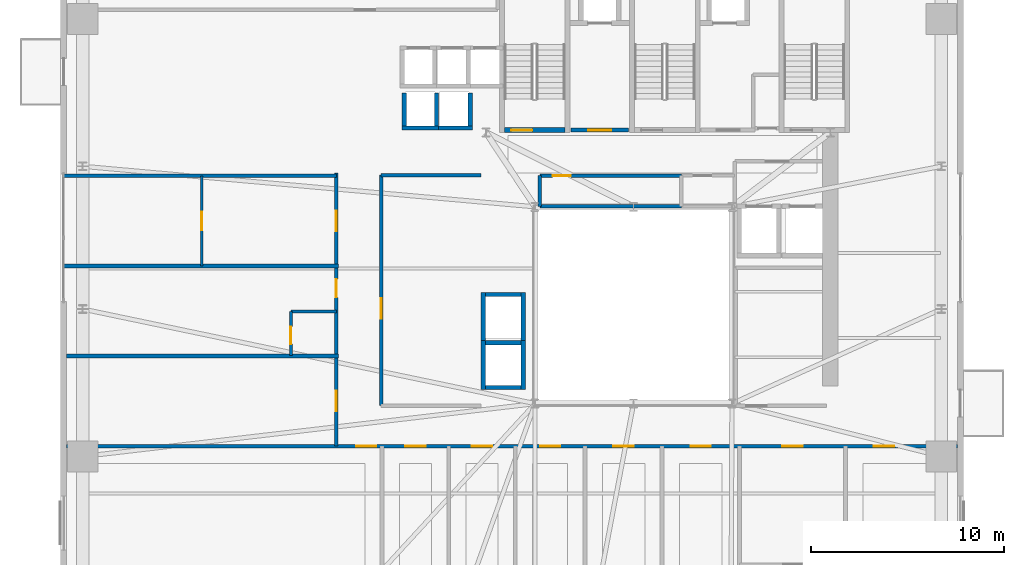
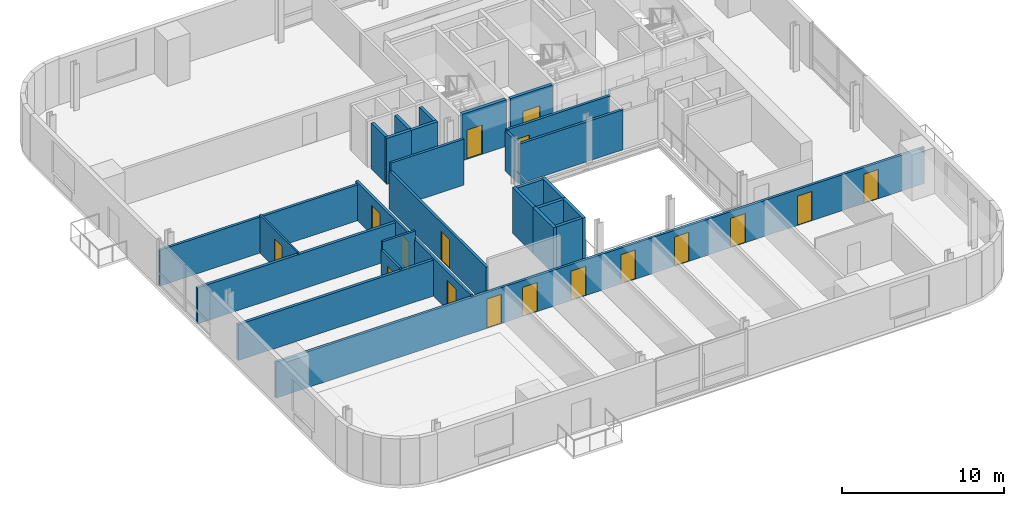
# One storey, part 6 of 14: 27 walls, 17 doors, 17 openings.
"""IFC4 building model written with IfcOpenShell, lengths in metres."""

from ifc_helpers import new_model, si_unit, direction, frame, frame_2d, origin, place, context, subcontext, project, spatial, rectangle, extrude, source, transform, mapped, material, layer, layer_set, type_object, element, fill, save


model = new_model("IFC4")

# Units and contexts
model_context = context("Model", 3, precision=1e-05, world=origin(), true_north=direction((0.0, 1.0)))
body_context = subcontext(model_context, "Body", "Model", "MODEL_VIEW")
ifc_project = project(units=[si_unit("LENGTHUNIT", "METRE"), si_unit("AREAUNIT", "SQUARE_METRE"), si_unit("VOLUMEUNIT", "CUBIC_METRE"), si_unit("PLANEANGLEUNIT", "RADIAN"), si_unit("MASSUNIT", "GRAM", prefix="KILO")], contexts=[model_context])

# Site, building, storey
site_placement = place(None, origin())
site = spatial("IfcSite", under=ifc_project, at=site_placement, CompositionType="ELEMENT")
building_placement = place(site_placement, origin())
building = spatial("IfcBuilding", under=site, at=building_placement, Name="Vardaveli Station Tower", CompositionType="ELEMENT")
storey_placement = place(building_placement, frame((0.0, 0.0, 140.89990234375)))
storey = spatial("IfcBuildingStorey", under=building, at=storey_placement, Name="L36", CompositionType="ELEMENT", Elevation=140.89990234375)

# Wall, opening, door
ifc_material_1 = material(Name="Concrete C40/50", Category="concrete")
ifc_layer_1 = layer(ifc_material_1, 0.25, Name="Concrete C40/50")
ifc_layer_set_1 = layer_set([ifc_layer_1], Name="Concrete C40/50")
wall_type_1 = type_object("IfcWallType", Name="WAL-SHAFT-250", PredefinedType="SOLIDWALL", material=ifc_layer_set_1)
shared_shape_1 = source(origin(), body_context, "Body", "SweptSolid", [
    extrude(rectangle(XDim=3.14990234375, YDim=0.25, at=frame_2d((1.574951171875, 0.0))), origin(), (0.0, 0.0, 1.0), 3.5),
])
wall_1_placement = place(storey_placement, frame((29.60009765625, 30.77490234375, 0.0), z_axis=(0.0, 0.0, 1.0), x_axis=(1.0, 0.0, 0.0)))
wall_1 = element("IfcWall", 1, at=wall_1_placement, inside=storey, type_object=wall_type_1, Name="W-L36-ST-1S", PredefinedType="SOLIDWALL", context=body_context, shape_type="MappedRepresentation", body=[
    mapped(shared_shape_1, transform((0.0, 0.0, 0.0), scale=1.0)),
])
shared_shape_2 = source(origin(), body_context, "Body", "SweptSolid", [
    extrude(rectangle(XDim=1.10009765625, YDim=2.199951171875, at=frame_2d((0.550048828125, 1.10009765625))), frame((0.0, 0.135009765625, 0.0), z_axis=(0.0, -1.0, 0.0), x_axis=(1.0, 0.0, 0.0)), (0.0, 0.0, 1.0), 0.27001953125),
])
opening_1_placement = place(wall_1_placement, frame((0.35009765625, 0.0, 0.0)))
opening_1 = element("IfcOpeningElement", 2, at=opening_1_placement, cuts=wall_1, Name="Opening D-04", PredefinedType="OPENING", context=body_context, shape_type="MappedRepresentation", body=[
    mapped(shared_shape_2, transform((0.0, 0.0, 0.0), scale=1.0)),
])
ifc_material_2 = material(Name="Steel smokeproof fire doorset", Category="steel")
door_type_1 = type_object("IfcDoorType", Name="DR-ST-1100x2200", OperationType="NOTDEFINED", PredefinedType="DOOR", material=ifc_material_2)
shared_shape_3 = source(origin(), body_context, "Body", "SweptSolid", [
    extrude(rectangle(XDim=1.10009765625, YDim=2.199951171875, at=frame_2d((0.550048828125, 1.10009765625))), frame((0.0, 0.02490234375, 0.0), z_axis=(0.0, -1.0, 0.0), x_axis=(1.0, 0.0, 0.0)), (0.0, 0.0, 1.0), 0.050048828125),
])
door_1_placement = place(opening_1_placement, origin())
door_1 = element("IfcDoor", 3, at=door_1_placement, inside=storey, type_object=door_type_1, Name="DST-1-L36", OperationType="SINGLE_SWING_LEFT", OverallHeight=2.199951171875, OverallWidth=1.10009765625, PredefinedType="DOOR", context=body_context, shape_type="MappedRepresentation", body=[
    mapped(shared_shape_3, transform((0.0, 0.0, 0.0), scale=1.0)),
])
fill(opening_1, door_1)

ifc_layer_2 = layer(ifc_material_1, 0.219970703125, Name="Concrete C40/50")
ifc_layer_set_2 = layer_set([ifc_layer_2], Name="Concrete C40/50")
wall_type_2 = type_object("IfcWallType", Name="WAL-FFLOBBY-220", PredefinedType="SOLIDWALL", material=ifc_layer_set_2)
shared_shape_4 = source(origin(), body_context, "Body", "SweptSolid", [
    extrude(rectangle(XDim=3.0, YDim=0.219970703125, at=frame_2d((1.5, 0.0))), origin(), (0.0, 0.0, 1.0), 3.460205078125),
])
wall_2_placement = place(storey_placement, frame((33.050048828125, 30.780029296875, 0.0), z_axis=(0.0, 0.0, 1.0), x_axis=(1.0, 0.0, 0.0)))
wall_2 = element("IfcWall", 4, at=wall_2_placement, inside=storey, type_object=wall_type_2, Name="W-L36-FFL1S", PredefinedType="SOLIDWALL", context=body_context, shape_type="MappedRepresentation", body=[
    mapped(shared_shape_4, transform((0.0, 0.0, 0.0), scale=1.0)),
])
shared_shape_5 = source(origin(), body_context, "Body", "SweptSolid", [
    extrude(rectangle(XDim=1.199951171875, YDim=2.199951171875, at=frame_2d((0.60009765625, 1.10009765625))), frame((0.0, 0.1201171875, 0.0), z_axis=(0.0, -1.0, 0.0), x_axis=(1.0, 0.0, 0.0)), (0.0, 0.0, 1.0), 0.239990234375),
])
opening_2_placement = place(wall_2_placement, frame((0.89990234375, 0.0, 0.0)))
opening_2 = element("IfcOpeningElement", 5, at=opening_2_placement, cuts=wall_2, Name="Opening D-03", PredefinedType="OPENING", context=body_context, shape_type="MappedRepresentation", body=[
    mapped(shared_shape_5, transform((0.0, 0.0, 0.0), scale=1.0)),
])
door_type_2 = type_object("IfcDoorType", Name="DR-FFL-1200x2200", OperationType="NOTDEFINED", PredefinedType="DOOR", material=ifc_material_2)
shared_shape_6 = source(origin(), body_context, "Body", "SweptSolid", [
    extrude(rectangle(XDim=1.199951171875, YDim=2.199951171875, at=frame_2d((0.60009765625, 1.10009765625))), frame((0.0, 0.02490234375, 0.0), z_axis=(0.0, -1.0, 0.0), x_axis=(1.0, 0.0, 0.0)), (0.0, 0.0, 1.0), 0.050048828125),
])
door_2_placement = place(opening_2_placement, origin())
door_2 = element("IfcDoor", 6, at=door_2_placement, inside=storey, type_object=door_type_2, Name="DFFL1-L36", OperationType="SINGLE_SWING_LEFT", OverallHeight=2.199951171875, OverallWidth=1.199951171875, PredefinedType="DOOR", context=body_context, shape_type="MappedRepresentation", body=[
    mapped(shared_shape_6, transform((0.0, 0.0, 0.0), scale=1.0)),
])
fill(opening_2, door_2)

# Walls
shared_shape_7 = source(origin(), body_context, "Body", "SweptSolid", [
    extrude(rectangle(XDim=1.89013671875, YDim=0.219970703125, at=frame_2d((0.945068359375, 0.0))), origin(), (0.0, 0.0, 1.0), 3.460205078125),
])
for number, where, z_axis, x_axis, name in (
    (7, (24.304931640625, 30.889892578125, 0.0), (0.0, 0.0, 1.0), (1.0, 0.0, 0.0), "SHW-SHU-01-L36-S"),
    (8, (26.054931640625, 30.889892578125, 0.0), (0.0, 0.0, 1.0), (1.0, 0.0, 0.0), "SHW-SHU-02-L36-S"),
):
    element("IfcWall", number, at=place(storey_placement, frame(where, z_axis=z_axis, x_axis=x_axis)), inside=storey, type_object=wall_type_2, Name=name, PredefinedType="SOLIDWALL", context=body_context, shape_type="MappedRepresentation", body=[
        mapped(shared_shape_7, transform((0.0, 0.0, 0.0), scale=1.0)),
    ])
shared_shape_8 = source(origin(), body_context, "Body", "SweptSolid", [
    extrude(rectangle(XDim=1.699951171875, YDim=0.219970703125, at=frame_2d((0.85009765625, 0.0))), origin(), (0.0, 0.0, 1.0), 3.460205078125),
])
for number, where, z_axis, x_axis, name in (
    (9, (24.4150390625, 31.0, 0.0), (0.0, 0.0, 1.0), (0.0, 1.0, 0.0), "SHW-SHU-01-L36-W"),
    (10, (26.0849609375, 31.0, 0.0), (0.0, 0.0, 1.0), (0.0, 1.0, 0.0), "SHW-SHU-01-L36-E"),
    (11, (27.8349609375, 31.0, 0.0), (0.0, 0.0, 1.0), (0.0, 1.0, 0.0), "SHW-SHU-02-L36-E"),
):
    element("IfcWall", number, at=place(storey_placement, frame(where, z_axis=z_axis, x_axis=x_axis)), inside=storey, type_object=wall_type_2, Name=name, PredefinedType="SOLIDWALL", context=body_context, shape_type="MappedRepresentation", body=[
        mapped(shared_shape_8, transform((0.0, 0.0, 0.0), scale=1.0)),
    ])
shared_shape_9 = source(origin(), body_context, "Body", "SweptSolid", [
    extrude(rectangle(XDim=1.85009765625, YDim=0.219970703125, at=frame_2d((0.925048828125, 0.0))), origin(), (0.0, 0.0, 1.0), 3.460205078125),
])
for number, where, z_axis, x_axis, name in (
    (12, (28.625, 17.43994140625, 0.0), (0.0, 0.0, 1.0), (1.0, 0.0, 0.0), "SHW-OBS-01-L36-S"),
    (13, (28.625, 19.760009765625, 0.0), (0.0, 0.0, 1.0), (1.0, 0.0, 0.0), "SHW-OBS-01-L36-N"),
    (14, (28.625, 22.260009765625, 0.0), (0.0, 0.0, 1.0), (1.0, 0.0, 0.0), "SHW-OBS-02-L36-N"),
):
    element("IfcWall", number, at=place(storey_placement, frame(where, z_axis=z_axis, x_axis=x_axis)), inside=storey, type_object=wall_type_2, Name=name, PredefinedType="SOLIDWALL", context=body_context, shape_type="MappedRepresentation", body=[
        mapped(shared_shape_9, transform((0.0, 0.0, 0.0), scale=1.0)),
    ])
shared_shape_10 = source(origin(), body_context, "Body", "SweptSolid", [
    extrude(rectangle(XDim=2.5400390625, YDim=0.219970703125, at=frame_2d((1.27001953125, 0.0))), origin(), (0.0, 0.0, 1.0), 3.460205078125),
])
for number, where, z_axis, x_axis, name in (
    (15, (28.514892578125, 17.330078125, 0.0), (0.0, 0.0, 1.0), (0.0, 1.0, 0.0), "SHW-OBS-01-L36-W"),
    (16, (30.5849609375, 17.330078125, 0.0), (0.0, 0.0, 1.0), (0.0, 1.0, 0.0), "SHW-OBS-01-L36-E"),
    (17, (28.514892578125, 19.830078125, 0.0), (0.0, 0.0, 1.0), (0.0, 1.0, 0.0), "SHW-OBS-02-L36-W"),
    (18, (30.5849609375, 19.830078125, 0.0), (0.0, 0.0, 1.0), (0.0, 1.0, 0.0), "SHW-OBS-02-L36-E"),
):
    element("IfcWall", number, at=place(storey_placement, frame(where, z_axis=z_axis, x_axis=x_axis)), inside=storey, type_object=wall_type_2, Name=name, PredefinedType="SOLIDWALL", context=body_context, shape_type="MappedRepresentation", body=[
        mapped(shared_shape_10, transform((0.0, 0.0, 0.0), scale=1.0)),
    ])

# Wall, opening, door
ifc_material_3 = material(Name="Moisture-resistant stud partition")
ifc_layer_3 = layer(ifc_material_3, 0.14990234375, Name="Moisture-resistant stud partition")
ifc_layer_set_3 = layer_set([ifc_layer_3], Name="Moisture-resistant stud partition")
wall_type_3 = type_object("IfcWallType", Name="WAL-WET-150", PredefinedType="PARTITIONING", material=ifc_layer_set_3)
shared_shape_11 = source(origin(), body_context, "Body", "SweptSolid", [
    extrude(rectangle(XDim=2.2900390625, YDim=0.14990234375, at=frame_2d((1.14501953125, 0.0))), origin(), (0.0, 0.0, 1.0), 2.85205078125),
])
wall_3_placement = place(storey_placement, frame((18.5400390625, 19.0869140625, 0.0), z_axis=(0.0, 0.0, 1.0), x_axis=(0.0, 1.0, 0.0)))
wall_3 = element("IfcWall", 19, at=wall_3_placement, inside=storey, type_object=wall_type_3, Name="W-L36-BW2-W", PredefinedType="PARTITIONING", context=body_context, shape_type="MappedRepresentation", body=[
    mapped(shared_shape_11, transform((0.0, 0.0, 0.0), scale=1.0)),
])
shared_shape_12 = source(origin(), body_context, "Body", "SweptSolid", [
    extrude(rectangle(XDim=0.89990234375, YDim=2.10009765625, at=frame_2d((0.449951171875, 1.050048828125))), frame((0.0, 0.0849609375, 0.0), z_axis=(0.0, -1.0, 0.0), x_axis=(1.0, 0.0, 0.0)), (0.0, 0.0, 1.0), 0.169921875),
])
opening_3_placement = place(wall_3_placement, frame((0.60009765625, 0.0, 0.0)))
opening_3 = element("IfcOpeningElement", 20, at=opening_3_placement, cuts=wall_3, Name="Opening D-08", PredefinedType="OPENING", context=body_context, shape_type="MappedRepresentation", body=[
    mapped(shared_shape_12, transform((0.0, 0.0, 0.0), scale=1.0)),
])
ifc_material_4 = material(Name="Moisture-resistant oak door")
door_type_3 = type_object("IfcDoorType", Name="DR-BATH-900x2100", OperationType="NOTDEFINED", PredefinedType="DOOR", material=ifc_material_4)
shared_shape_13 = source(origin(), body_context, "Body", "SweptSolid", [
    extrude(rectangle(XDim=0.89990234375, YDim=2.10009765625, at=frame_2d((0.449951171875, 1.050048828125))), frame((0.0, 0.02490234375, 0.0), z_axis=(0.0, -1.0, 0.0), x_axis=(1.0, 0.0, 0.0)), (0.0, 0.0, 1.0), 0.050048828125),
])
door_3_placement = place(opening_3_placement, origin())
door_3 = element("IfcDoor", 21, at=door_3_placement, inside=storey, type_object=door_type_3, Name="D-L36-BW2", OperationType="SINGLE_SWING_RIGHT", OverallHeight=2.10009765625, OverallWidth=0.89990234375, PredefinedType="DOOR", context=body_context, shape_type="MappedRepresentation", body=[
    mapped(shared_shape_13, transform((0.0, 0.0, 0.0), scale=1.0)),
])
fill(opening_3, door_3)

# Wall, openings, doors
ifc_material_5 = material(Name="Fire-rated gypsum stud partition")
ifc_layer_4 = layer(ifc_material_5, 0.179931640625, Name="Fire-rated gypsum stud partition")
ifc_layer_set_4 = layer_set([ifc_layer_4], Name="Fire-rated gypsum stud partition")
wall_type_4 = type_object("IfcWallType", Name="WAL-CORR-180", PredefinedType="PARTITIONING", material=ifc_layer_set_4)
shared_shape_14 = source(origin(), body_context, "Body", "SweptSolid", [
    extrude(rectangle(XDim=46.15576171875, YDim=0.179931640625, at=frame_2d((23.077880859375, 0.0))), origin(), (0.0, 0.0, 1.0), 2.7021484375),
])
wall_4_placement = place(storey_placement, frame((6.922119140625, 14.39990234375, 0.0), z_axis=(0.0, 0.0, 1.0), x_axis=(1.0, 0.0, 0.0)))
wall_4 = element("IfcWall", 22, at=wall_4_placement, inside=storey, type_object=wall_type_4, Name="W-L36-CS", PredefinedType="PARTITIONING", context=body_context, shape_type="MappedRepresentation", body=[
    mapped(shared_shape_14, transform((0.0, 0.0, 0.0), scale=1.0)),
])
shared_shape_15 = source(origin(), body_context, "Body", "SweptSolid", [
    extrude(rectangle(XDim=1.050048828125, YDim=2.199951171875, at=frame_2d((0.52490234375, 1.10009765625))), frame((0.0, 0.10009765625, 0.0), z_axis=(0.0, -1.0, 0.0), x_axis=(1.0, 0.0, 0.0)), (0.0, 0.0, 1.0), 0.199951171875),
])
opening_4_placement = place(wall_4_placement, frame((14.998046875, 0.0, 0.0)))
opening_4 = element("IfcOpeningElement", 23, at=opening_4_placement, cuts=wall_4, Name="Opening D-05", PredefinedType="OPENING", context=body_context, shape_type="MappedRepresentation", body=[
    mapped(shared_shape_15, transform((0.0, 0.0, 0.0), scale=1.0)),
])
opening_5_placement = place(wall_4_placement, frame((17.552978515625, 0.0, 0.0)))
opening_5 = element("IfcOpeningElement", 24, at=opening_5_placement, cuts=wall_4, Name="Opening D-05", PredefinedType="OPENING", context=body_context, shape_type="MappedRepresentation", body=[
    mapped(shared_shape_15, transform((0.0, 0.0, 0.0), scale=1.0)),
])
opening_6_placement = place(wall_4_placement, frame((21.0029296875, 0.0, 0.0)))
opening_6 = element("IfcOpeningElement", 25, at=opening_6_placement, cuts=wall_4, Name="Opening D-05", PredefinedType="OPENING", context=body_context, shape_type="MappedRepresentation", body=[
    mapped(shared_shape_15, transform((0.0, 0.0, 0.0), scale=1.0)),
])
opening_7_placement = place(wall_4_placement, frame((24.532470703125, 0.0, 0.0)))
opening_7 = element("IfcOpeningElement", 26, at=opening_7_placement, cuts=wall_4, Name="Opening D-05", PredefinedType="OPENING", context=body_context, shape_type="MappedRepresentation", body=[
    mapped(shared_shape_15, transform((0.0, 0.0, 0.0), scale=1.0)),
])
opening_8_placement = place(wall_4_placement, frame((28.338134765625, 0.0, 0.0)))
opening_8 = element("IfcOpeningElement", 27, at=opening_8_placement, cuts=wall_4, Name="Opening D-05", PredefinedType="OPENING", context=body_context, shape_type="MappedRepresentation", body=[
    mapped(shared_shape_15, transform((0.0, 0.0, 0.0), scale=1.0)),
])
opening_9_placement = place(wall_4_placement, frame((32.341064453125, 0.0, 0.0)))
opening_9 = element("IfcOpeningElement", 28, at=opening_9_placement, cuts=wall_4, Name="Opening D-05", PredefinedType="OPENING", context=body_context, shape_type="MappedRepresentation", body=[
    mapped(shared_shape_15, transform((0.0, 0.0, 0.0), scale=1.0)),
])
opening_10_placement = place(wall_4_placement, frame((37.093994140625, 0.0, 0.0)))
opening_10 = element("IfcOpeningElement", 29, at=opening_10_placement, cuts=wall_4, Name="Opening D-05", PredefinedType="OPENING", context=body_context, shape_type="MappedRepresentation", body=[
    mapped(shared_shape_15, transform((0.0, 0.0, 0.0), scale=1.0)),
])
opening_11_placement = place(wall_4_placement, frame((41.827880859375, 0.0, 0.0)))
opening_11 = element("IfcOpeningElement", 30, at=opening_11_placement, cuts=wall_4, Name="Opening D-05", PredefinedType="OPENING", context=body_context, shape_type="MappedRepresentation", body=[
    mapped(shared_shape_15, transform((0.0, 0.0, 0.0), scale=1.0)),
])
ifc_material_6 = material(Name="Walnut veneer acoustic fire door")
door_type_4 = type_object("IfcDoorType", Name="DR-SUITE-1050x2200", OperationType="NOTDEFINED", PredefinedType="DOOR", material=ifc_material_6)
shared_shape_16 = source(origin(), body_context, "Body", "SweptSolid", [
    extrude(rectangle(XDim=1.050048828125, YDim=2.199951171875, at=frame_2d((0.52490234375, 1.10009765625))), frame((0.0, 0.02490234375, 0.0), z_axis=(0.0, -1.0, 0.0), x_axis=(1.0, 0.0, 0.0)), (0.0, 0.0, 1.0), 0.050048828125),
])
door_4_placement = place(opening_4_placement, origin())
door_4 = element("IfcDoor", 31, at=door_4_placement, inside=storey, type_object=door_type_4, Name="D-L36-SA1", OperationType="SINGLE_SWING_RIGHT", OverallHeight=2.199951171875, OverallWidth=1.050048828125, PredefinedType="DOOR", context=body_context, shape_type="MappedRepresentation", body=[
    mapped(shared_shape_16, transform((0.0, 0.0, 0.0), scale=1.0)),
])
fill(opening_4, door_4)
door_5_placement = place(opening_5_placement, origin())
door_5 = element("IfcDoor", 32, at=door_5_placement, inside=storey, type_object=door_type_4, Name="D-L36-SA2", OperationType="SINGLE_SWING_LEFT", OverallHeight=2.199951171875, OverallWidth=1.050048828125, PredefinedType="DOOR", context=body_context, shape_type="MappedRepresentation", body=[
    mapped(shared_shape_16, transform((0.0, 0.0, 0.0), scale=1.0)),
])
fill(opening_5, door_5)
door_6_placement = place(opening_6_placement, origin())
door_6 = element("IfcDoor", 33, at=door_6_placement, inside=storey, type_object=door_type_4, Name="D-L36-SA3", OperationType="SINGLE_SWING_RIGHT", OverallHeight=2.199951171875, OverallWidth=1.050048828125, PredefinedType="DOOR", context=body_context, shape_type="MappedRepresentation", body=[
    mapped(shared_shape_16, transform((0.0, 0.0, 0.0), scale=1.0)),
])
fill(opening_6, door_6)
door_7_placement = place(opening_7_placement, origin())
door_7 = element("IfcDoor", 34, at=door_7_placement, inside=storey, type_object=door_type_4, Name="D-L36-SA4", OperationType="SINGLE_SWING_LEFT", OverallHeight=2.199951171875, OverallWidth=1.050048828125, PredefinedType="DOOR", context=body_context, shape_type="MappedRepresentation", body=[
    mapped(shared_shape_16, transform((0.0, 0.0, 0.0), scale=1.0)),
])
fill(opening_7, door_7)
door_8_placement = place(opening_8_placement, origin())
door_8 = element("IfcDoor", 35, at=door_8_placement, inside=storey, type_object=door_type_4, Name="D-L36-SA5", OperationType="SINGLE_SWING_RIGHT", OverallHeight=2.199951171875, OverallWidth=1.050048828125, PredefinedType="DOOR", context=body_context, shape_type="MappedRepresentation", body=[
    mapped(shared_shape_16, transform((0.0, 0.0, 0.0), scale=1.0)),
])
fill(opening_8, door_8)
door_9_placement = place(opening_9_placement, origin())
door_9 = element("IfcDoor", 36, at=door_9_placement, inside=storey, type_object=door_type_4, Name="D-L36-SA6", OperationType="SINGLE_SWING_LEFT", OverallHeight=2.199951171875, OverallWidth=1.050048828125, PredefinedType="DOOR", context=body_context, shape_type="MappedRepresentation", body=[
    mapped(shared_shape_16, transform((0.0, 0.0, 0.0), scale=1.0)),
])
fill(opening_9, door_9)
door_10_placement = place(opening_10_placement, origin())
door_10 = element("IfcDoor", 37, at=door_10_placement, inside=storey, type_object=door_type_4, Name="D-L36-SCB7", OperationType="SINGLE_SWING_RIGHT", OverallHeight=2.199951171875, OverallWidth=1.050048828125, PredefinedType="DOOR", context=body_context, shape_type="MappedRepresentation", body=[
    mapped(shared_shape_16, transform((0.0, 0.0, 0.0), scale=1.0)),
])
fill(opening_10, door_10)
door_11_placement = place(opening_11_placement, origin())
door_11 = element("IfcDoor", 38, at=door_11_placement, inside=storey, type_object=door_type_4, Name="D-L36-SA8", OperationType="SINGLE_SWING_LEFT", OverallHeight=2.199951171875, OverallWidth=1.050048828125, PredefinedType="DOOR", context=body_context, shape_type="MappedRepresentation", body=[
    mapped(shared_shape_16, transform((0.0, 0.0, 0.0), scale=1.0)),
])
fill(opening_11, door_11)

# Wall, opening, door
shared_shape_17 = source(origin(), body_context, "Body", "SweptSolid", [
    extrude(rectangle(XDim=11.93994140625, YDim=0.179931640625, at=frame_2d((5.969970703125, 0.0))), origin(), (0.0, 0.0, 1.0), 2.85205078125),
])
wall_5_placement = place(storey_placement, frame((23.219970703125, 16.5, 0.0), z_axis=(0.0, 0.0, 1.0), x_axis=(0.0, 1.0, 0.0)))
wall_5 = element("IfcWall", 39, at=wall_5_placement, inside=storey, type_object=wall_type_4, Name="W-L36-ATW-W", PredefinedType="PARTITIONING", context=body_context, shape_type="MappedRepresentation", body=[
    mapped(shared_shape_17, transform((0.0, 0.0, 0.0), scale=1.0)),
])
opening_12_placement = place(wall_5_placement, frame((4.5, 0.0, 0.0)))
opening_12 = element("IfcOpeningElement", 40, at=opening_12_placement, cuts=wall_5, Name="Opening D-05", PredefinedType="OPENING", context=body_context, shape_type="MappedRepresentation", body=[
    mapped(shared_shape_15, transform((0.0, 0.0, 0.0), scale=1.0)),
])
door_12_placement = place(opening_12_placement, origin())
door_12 = element("IfcDoor", 41, at=door_12_placement, inside=storey, type_object=door_type_4, Name="D-L36-ATW1", OperationType="SINGLE_SWING_LEFT", OverallHeight=2.199951171875, OverallWidth=1.050048828125, PredefinedType="DOOR", context=body_context, shape_type="MappedRepresentation", body=[
    mapped(shared_shape_16, transform((0.0, 0.0, 0.0), scale=1.0)),
])
fill(opening_12, door_12)

shared_shape_18 = source(origin(), body_context, "Body", "SweptSolid", [
    extrude(rectangle(XDim=7.330078125, YDim=0.179931640625, at=frame_2d((3.6650390625, 0.0))), origin(), (0.0, 0.0, 1.0), 3.092041015625),
])
wall_6_placement = place(storey_placement, frame((31.449951171875, 28.419921875, 0.0), z_axis=(0.0, 0.0, 1.0), x_axis=(1.0, 0.0, 0.0)))
wall_6 = element("IfcWall", 42, at=wall_6_placement, inside=storey, type_object=wall_type_4, Name="W-L36-HKP0-N", PredefinedType="PARTITIONING", context=body_context, shape_type="MappedRepresentation", body=[
    mapped(shared_shape_18, transform((0.0, 0.0, 0.0), scale=1.0)),
])
shared_shape_19 = source(origin(), body_context, "Body", "SweptSolid", [
    extrude(rectangle(XDim=0.949951171875, YDim=2.14990234375, at=frame_2d((0.47509765625, 1.074951171875))), frame((0.0, 0.10009765625, 0.0), z_axis=(0.0, -1.0, 0.0), x_axis=(1.0, 0.0, 0.0)), (0.0, 0.0, 1.0), 0.199951171875),
])
opening_13_placement = place(wall_6_placement, frame((0.64990234375, 0.0, 0.0)))
opening_13 = element("IfcOpeningElement", 43, at=opening_13_placement, cuts=wall_6, Name="Opening D-06", PredefinedType="OPENING", context=body_context, shape_type="MappedRepresentation", body=[
    mapped(shared_shape_19, transform((0.0, 0.0, 0.0), scale=1.0)),
])
ifc_material_7 = material(Name="Oak veneer acoustic fire door")
door_type_5 = type_object("IfcDoorType", Name="DR-GUEST-950x2150", OperationType="NOTDEFINED", PredefinedType="DOOR", material=ifc_material_7)
shared_shape_20 = source(origin(), body_context, "Body", "SweptSolid", [
    extrude(rectangle(XDim=0.949951171875, YDim=2.14990234375, at=frame_2d((0.47509765625, 1.074951171875))), frame((0.0, 0.02490234375, 0.0), z_axis=(0.0, -1.0, 0.0), x_axis=(1.0, 0.0, 0.0)), (0.0, 0.0, 1.0), 0.050048828125),
])
door_13_placement = place(opening_13_placement, origin())
door_13 = element("IfcDoor", 44, at=door_13_placement, inside=storey, type_object=door_type_5, Name="D-L36-HKP", OperationType="SINGLE_SWING_RIGHT", OverallHeight=2.14990234375, OverallWidth=0.949951171875, PredefinedType="DOOR", context=body_context, shape_type="MappedRepresentation", body=[
    mapped(shared_shape_20, transform((0.0, 0.0, 0.0), scale=1.0)),
])
fill(opening_13, door_13)

# Wall, openings, doors
shared_shape_21 = source(origin(), body_context, "Body", "SweptSolid", [
    extrude(rectangle(XDim=14.150146484375, YDim=0.179931640625, at=frame_2d((7.0751953125, 0.0))), origin(), (0.0, 0.0, 1.0), 2.85205078125),
])
wall_7_placement = place(storey_placement, frame((20.89990234375, 14.39990234375, 0.0), z_axis=(0.0, 0.0, 1.0), x_axis=(0.0, 1.0, 0.0)))
wall_7 = element("IfcWall", 45, at=wall_7_placement, inside=storey, type_object=wall_type_4, Name="W-L36-CW", PredefinedType="PARTITIONING", context=body_context, shape_type="MappedRepresentation", body=[
    mapped(shared_shape_21, transform((0.0, 0.0, 0.0), scale=1.0)),
])
opening_14_placement = place(wall_7_placement, frame((1.8134765625, 0.0, 0.0)))
opening_14 = element("IfcOpeningElement", 46, at=opening_14_placement, cuts=wall_7, Name="Opening D-05", PredefinedType="OPENING", context=body_context, shape_type="MappedRepresentation", body=[
    mapped(shared_shape_15, transform((0.0, 0.0, 0.0), scale=1.0)),
])
opening_15_placement = place(wall_7_placement, frame((7.705078125, 0.0, 0.0)))
opening_15 = element("IfcOpeningElement", 47, at=opening_15_placement, cuts=wall_7, Name="Opening D-06", PredefinedType="OPENING", context=body_context, shape_type="MappedRepresentation", body=[
    mapped(shared_shape_19, transform((0.0, 0.0, 0.0), scale=1.0)),
])
opening_16_placement = place(wall_7_placement, frame((11.146484375, 0.0, 0.0)))
opening_16 = element("IfcOpeningElement", 48, at=opening_16_placement, cuts=wall_7, Name="Opening D-05", PredefinedType="OPENING", context=body_context, shape_type="MappedRepresentation", body=[
    mapped(shared_shape_15, transform((0.0, 0.0, 0.0), scale=1.0)),
])
door_14_placement = place(opening_14_placement, origin())
door_14 = element("IfcDoor", 49, at=door_14_placement, inside=storey, type_object=door_type_4, Name="D-L36-GW1", OperationType="SINGLE_SWING_RIGHT", OverallHeight=2.199951171875, OverallWidth=1.050048828125, PredefinedType="DOOR", context=body_context, shape_type="MappedRepresentation", body=[
    mapped(shared_shape_16, transform((0.0, 0.0, 0.0), scale=1.0)),
])
fill(opening_14, door_14)
door_15_placement = place(opening_16_placement, origin())
door_15 = element("IfcDoor", 50, at=door_15_placement, inside=storey, type_object=door_type_4, Name="D-L36-GW3", OperationType="SINGLE_SWING_RIGHT", OverallHeight=2.199951171875, OverallWidth=1.050048828125, PredefinedType="DOOR", context=body_context, shape_type="MappedRepresentation", body=[
    mapped(shared_shape_16, transform((0.0, 0.0, 0.0), scale=1.0)),
])
fill(opening_16, door_15)
door_16_placement = place(opening_15_placement, origin())
door_16 = element("IfcDoor", 51, at=door_16_placement, inside=storey, type_object=door_type_5, Name="D-L36-GW2", OperationType="SINGLE_SWING_LEFT", OverallHeight=2.14990234375, OverallWidth=0.949951171875, PredefinedType="DOOR", context=body_context, shape_type="MappedRepresentation", body=[
    mapped(shared_shape_20, transform((0.0, 0.0, 0.0), scale=1.0)),
])
fill(opening_15, door_16)

# Wall, opening, door
ifc_material_8 = material(Name="Gypsum board stud partition")
ifc_layer_5 = layer(ifc_material_8, 0.125, Name="Gypsum board stud partition")
ifc_layer_set_5 = layer_set([ifc_layer_5], Name="Gypsum board stud partition")
wall_type_5 = type_object("IfcWallType", Name="WAL-INT-125", PredefinedType="PARTITIONING", material=ifc_layer_set_5)
shared_shape_22 = source(origin(), body_context, "Body", "SweptSolid", [
    extrude(rectangle(XDim=4.6669921875, YDim=0.125, at=frame_2d((2.33349609375, 0.0))), origin(), (0.0, 0.0, 1.0), 2.85205078125),
])
wall_8_placement = place(storey_placement, frame((13.925048828125, 23.73291015625, 0.0), z_axis=(0.0, 0.0, 1.0), x_axis=(0.0, 1.0, 0.0)))
wall_8 = element("IfcWall", 52, at=wall_8_placement, inside=storey, type_object=wall_type_5, Name="W-L36-WCM3", PredefinedType="PARTITIONING", context=body_context, shape_type="MappedRepresentation", body=[
    mapped(shared_shape_22, transform((0.0, 0.0, 0.0), scale=1.0)),
])
shared_shape_23 = source(origin(), body_context, "Body", "SweptSolid", [
    extrude(rectangle(XDim=0.949951171875, YDim=2.14990234375, at=frame_2d((0.47509765625, 1.074951171875))), frame((0.0, 0.072509765625, 0.0), z_axis=(0.0, -1.0, 0.0), x_axis=(1.0, 0.0, 0.0)), (0.0, 0.0, 1.0), 0.14501953125),
])
opening_17_placement = place(wall_8_placement, frame((1.853271484375, 0.0, 0.0)))
opening_17 = element("IfcOpeningElement", 53, at=opening_17_placement, cuts=wall_8, Name="Opening D-11", PredefinedType="OPENING", context=body_context, shape_type="MappedRepresentation", body=[
    mapped(shared_shape_23, transform((0.0, 0.0, 0.0), scale=1.0)),
])
ifc_material_9 = material(Name="Oak veneer internal suite door")
door_type_6 = type_object("IfcDoorType", Name="DR-INT-950x2150", OperationType="NOTDEFINED", PredefinedType="DOOR", material=ifc_material_9)
door_17_placement = place(opening_17_placement, origin())
door_17 = element("IfcDoor", 54, at=door_17_placement, inside=storey, type_object=door_type_6, Name="D-L36-GWF3", OperationType="SINGLE_SWING_RIGHT", OverallHeight=2.14990234375, OverallWidth=0.949951171875, PredefinedType="DOOR", context=body_context, shape_type="MappedRepresentation", body=[
    mapped(shared_shape_20, transform((0.0, 0.0, 0.0), scale=1.0)),
])
fill(opening_17, door_17)

# Walls
ifc_material_10 = material(Name="Acoustic twin-stud gypsum partition")
ifc_layer_6 = layer(ifc_material_10, 0.199951171875, Name="Acoustic twin-stud gypsum partition")
ifc_layer_set_6 = layer_set([ifc_layer_6], Name="Acoustic twin-stud gypsum partition")
wall_type_6 = type_object("IfcWallType", Name="WAL-PARTY-200", PredefinedType="PARTITIONING", material=ifc_layer_set_6)
shared_shape_24 = source(origin(), body_context, "Body", "SweptSolid", [
    extrude(rectangle(XDim=14.077880859375, YDim=0.199951171875, at=frame_2d((7.0390625, 0.0))), origin(), (0.0, 0.0, 1.0), 2.7021484375),
])
wall_9_placement = place(storey_placement, frame((6.922119140625, 19.06689453125, 0.0), z_axis=(0.0, 0.0, 1.0), x_axis=(1.0, 0.0, 0.0)))
element("IfcWall", 55, at=wall_9_placement, inside=storey, type_object=wall_type_6, Name="W-L36-PW1", PredefinedType="PARTITIONING", context=body_context, shape_type="MappedRepresentation", body=[
    mapped(shared_shape_24, transform((0.0, 0.0, 0.0), scale=1.0)),
])
shared_shape_25 = source(origin(), body_context, "Body", "SweptSolid", [
    extrude(rectangle(XDim=14.27001953125, YDim=0.199951171875, at=frame_2d((7.135009765625, 0.0))), origin(), (0.0, 0.0, 1.0), 2.7021484375),
])
wall_10_placement = place(storey_placement, frame((6.72998046875, 23.73291015625, 0.0), z_axis=(0.0, 0.0, 1.0), x_axis=(1.0, 0.0, 0.0)))
element("IfcWall", 56, at=wall_10_placement, inside=storey, type_object=wall_type_6, Name="W-L36-PW2", PredefinedType="PARTITIONING", context=body_context, shape_type="MappedRepresentation", body=[
    mapped(shared_shape_25, transform((0.0, 0.0, 0.0), scale=1.0)),
])
shared_shape_26 = source(origin(), body_context, "Body", "SweptSolid", [
    extrude(rectangle(XDim=14.169921875, YDim=0.179931640625, at=frame_2d((7.0849609375, 0.0))), origin(), (0.0, 0.0, 1.0), 2.7021484375),
])
wall_11_placement = place(storey_placement, frame((6.72998046875, 28.39990234375, 0.0), z_axis=(0.0, 0.0, 1.0), x_axis=(1.0, 0.0, 0.0)))
element("IfcWall", 57, at=wall_11_placement, inside=storey, type_object=wall_type_4, Name="W-L36-CWN", PredefinedType="PARTITIONING", context=body_context, shape_type="MappedRepresentation", body=[
    mapped(shared_shape_26, transform((0.0, 0.0, 0.0), scale=1.0)),
])
shared_shape_27 = source(origin(), body_context, "Body", "SweptSolid", [
    extrude(rectangle(XDim=7.330078125, YDim=0.179931640625, at=frame_2d((3.6650390625, 0.0))), origin(), (0.0, 0.0, 1.0), 3.002197265625),
])
wall_12_placement = place(storey_placement, frame((31.449951171875, 26.820068359375, 0.0), z_axis=(0.0, 0.0, 1.0), x_axis=(1.0, 0.0, 0.0)))
element("IfcWall", 58, at=wall_12_placement, inside=storey, type_object=wall_type_4, Name="W-L36-HKP0-S", PredefinedType="PARTITIONING", context=body_context, shape_type="MappedRepresentation", body=[
    mapped(shared_shape_27, transform((0.0, 0.0, 0.0), scale=1.0)),
])
shared_shape_28 = source(origin(), body_context, "Body", "SweptSolid", [
    extrude(rectangle(XDim=5.179931640625, YDim=0.179931640625, at=frame_2d((2.58984375, 0.0))), origin(), (0.0, 0.0, 1.0), 3.460205078125),
])
wall_13_placement = place(storey_placement, frame((23.219970703125, 28.43994140625, 0.0), z_axis=(0.0, 0.0, 1.0), x_axis=(1.0, 0.0, 0.0)))
element("IfcWall", 59, at=wall_13_placement, inside=storey, type_object=wall_type_4, Name="W-L36-ATW-N", PredefinedType="PARTITIONING", context=body_context, shape_type="MappedRepresentation", body=[
    mapped(shared_shape_28, transform((0.0, 0.0, 0.0), scale=1.0)),
])
shared_shape_29 = source(origin(), body_context, "Body", "SweptSolid", [
    extrude(rectangle(XDim=2.35986328125, YDim=0.14990234375, at=frame_2d((1.179931640625, 0.0))), origin(), (0.0, 0.0, 1.0), 3.460205078125),
])
wall_14_placement = place(storey_placement, frame((18.5400390625, 21.376953125, 0.0), z_axis=(0.0, 0.0, 1.0), x_axis=(1.0, 0.0, 0.0)))
element("IfcWall", 60, at=wall_14_placement, inside=storey, type_object=wall_type_3, Name="W-L36-BW2-N", PredefinedType="PARTITIONING", context=body_context, shape_type="MappedRepresentation", body=[
    mapped(shared_shape_29, transform((0.0, 0.0, 0.0), scale=1.0)),
])
shared_shape_30 = source(origin(), body_context, "Body", "SweptSolid", [
    extrude(rectangle(XDim=1.599853515625, YDim=0.179931640625, at=frame_2d((0.7998046875, 0.0))), origin(), (0.0, 0.0, 1.0), 3.002197265625),
])
wall_15_placement = place(storey_placement, frame((31.449951171875, 26.820068359375, 0.0), z_axis=(0.0, 0.0, 1.0), x_axis=(0.0, 1.0, 0.0)))
element("IfcWall", 61, at=wall_15_placement, inside=storey, type_object=wall_type_4, Name="W-L36-HKP0-W", PredefinedType="PARTITIONING", context=body_context, shape_type="MappedRepresentation", body=[
    mapped(shared_shape_30, transform((0.0, 0.0, 0.0), scale=1.0)),
])

save(model, "model.ifc")
